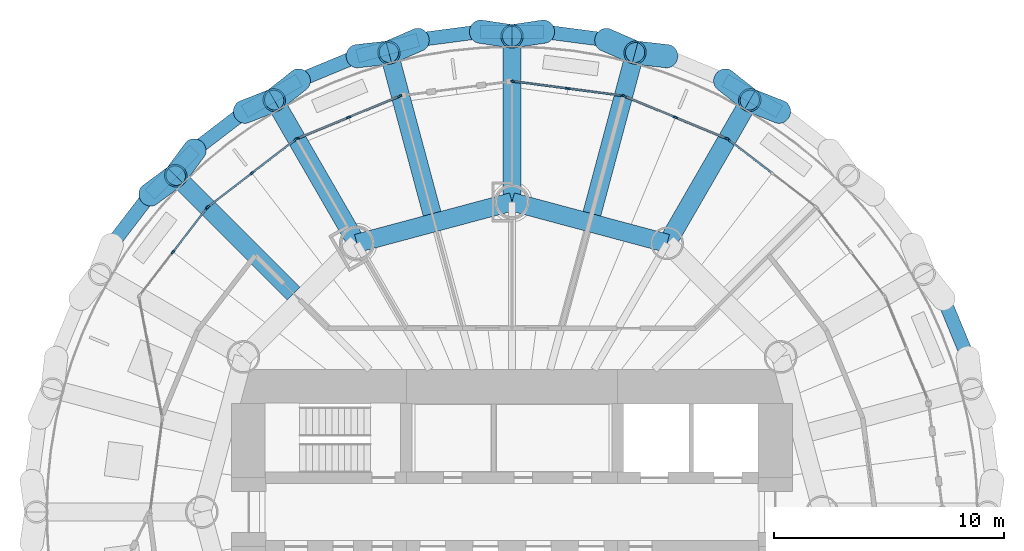
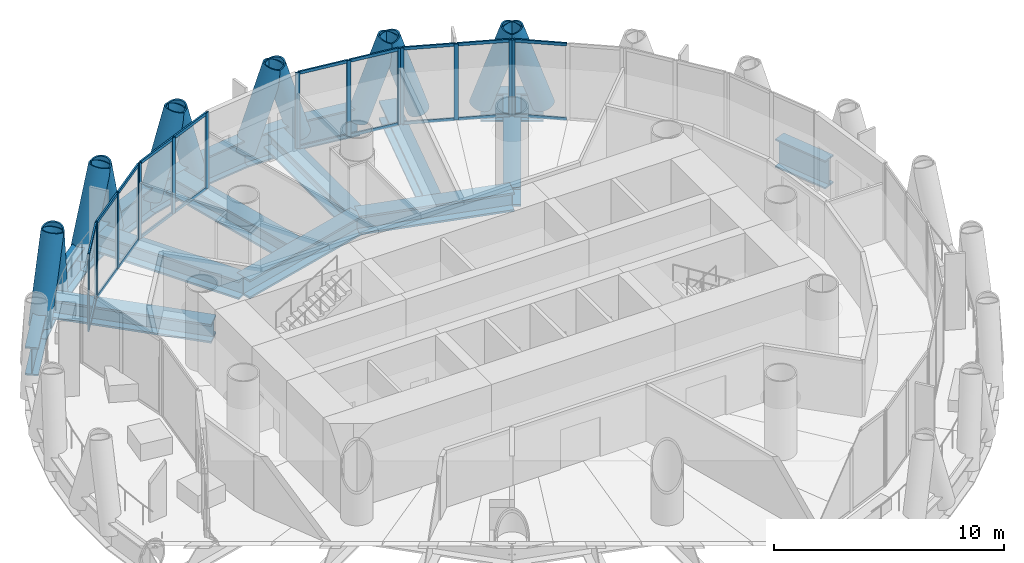
# One storey, part 5 of 15: 47 members, 19 beams, 6 elements without a shape of their own.
"""IFC4 building model written with IfcOpenShell, lengths in metres."""

from ifc_helpers import new_model, si_unit, direction, frame, origin, origin_2d, place, context, subcontext, project, spatial, rectangle, hollow_circle, i_section, extrude, material, material_profile, profile_set, type_object, element, aggregate, save


model = new_model("IFC4")

# Units and contexts
model_context = context("Model", 3, precision=1e-05, world=origin(), true_north=direction((0.0, 1.0)))
body_context = subcontext(model_context, "Body", "Model", "MODEL_VIEW")
ifc_project = project(units=[si_unit("LENGTHUNIT", "METRE"), si_unit("AREAUNIT", "SQUARE_METRE"), si_unit("VOLUMEUNIT", "CUBIC_METRE"), si_unit("PLANEANGLEUNIT", "RADIAN"), si_unit("MASSUNIT", "GRAM", prefix="KILO")], contexts=[model_context])

# Site, building, storey
site_placement = place(None, origin())
site = spatial("IfcSite", under=ifc_project, at=site_placement, CompositionType="ELEMENT")
building_placement = place(site_placement, origin())
building = spatial("IfcBuilding", under=site, at=building_placement, Name="Qaws Media Tower", CompositionType="ELEMENT")
storey_placement = place(building_placement, frame((0.0, 0.0, 273.800048828125)))
storey = spatial("IfcBuildingStorey", under=building, at=storey_placement, Name="L63", CompositionType="ELEMENT", Elevation=273.800048828125)

# Curtain wall, member
ifc_material_1 = material(Name="Aluminium and clear glass", Category="aluminium")
curtain_wall_type = type_object("IfcCurtainWallType", Name="Unitised curtain wall CW-D", PredefinedType="NOTDEFINED", material=ifc_material_1)
curtain_wall_1_placement = place(storey_placement, origin())
curtain_wall_1 = element("IfcCurtainWall", 1, at=curtain_wall_1_placement, inside=storey, type_object=curtain_wall_type, Name="CWD curtain wall L63-04", PredefinedType="NOTDEFINED")
ifc_material_2 = material(Name="Aluminium mullion", Category="aluminium")
ifc_material_profile_1 = material_profile(ifc_material_2, rectangle(XDim=0.080078125, YDim=0.199951171875, at=origin_2d()), Name="80x200")
ifc_profile_set_1 = profile_set([ifc_material_profile_1], Name="Aluminium mullion")
member_type_1 = type_object("IfcMemberType", Name="Curtain wall mullion 80x200", PredefinedType="MULLION", material=ifc_profile_set_1)
member_1_placement = place(storey_placement, frame((69.40673828125, 66.213623046875, 0.0), z_axis=(0.0, 0.0, 1.0), x_axis=(-0.608761421199, -0.793353346284, 0.0)))
member_1 = element("IfcMember", 2, at=member_1_placement, type_object=member_type_1, Name="CWD mullion 3", PredefinedType="MULLION", context=body_context, shape_type="SweptSolid", body=[
    extrude(rectangle(XDim=0.080078125, YDim=0.199951171875, at=origin_2d()), origin(), (0.0, 0.0, 1.0), 4.0400390625),
])

# Curtain wall, members
curtain_wall_2_placement = place(storey_placement, origin())
curtain_wall_2 = element("IfcCurtainWall", 3, at=curtain_wall_2_placement, inside=storey, type_object=curtain_wall_type, Name="CWD curtain wall L63-05", PredefinedType="NOTDEFINED")
member_2_placement = place(storey_placement, frame((69.338134765625, 66.253173828125, 0.0), z_axis=(0.0, 0.0, 1.0), x_axis=(-0.382683439057, -0.923879529739, 0.0)))
member_2 = element("IfcMember", 4, at=member_2_placement, type_object=member_type_1, Name="CWD mullion 1", PredefinedType="MULLION", context=body_context, shape_type="SweptSolid", body=[
    extrude(rectangle(XDim=0.080078125, YDim=0.199951171875, at=origin_2d()), origin(), (0.0, 0.0, 1.0), 4.0400390625),
])
member_3_placement = place(storey_placement, frame((67.114013671875, 67.174560546875, 0.0), z_axis=(0.0, 0.0, 1.0), x_axis=(-0.382683439057, -0.923879529739, 0.0)))
member_3 = element("IfcMember", 5, at=member_3_placement, type_object=member_type_1, Name="CWD mullion 2", PredefinedType="MULLION", context=body_context, shape_type="SweptSolid", body=[
    extrude(rectangle(XDim=0.080078125, YDim=0.199951171875, at=origin_2d()), origin(), (0.0, 0.0, 1.0), 4.0400390625),
])
member_4_placement = place(storey_placement, frame((64.889892578125, 68.095703125, 0.0), z_axis=(0.0, 0.0, 1.0), x_axis=(-0.382683439057, -0.923879529739, 0.0)))
member_4 = element("IfcMember", 6, at=member_4_placement, type_object=member_type_1, Name="CWD mullion 3", PredefinedType="MULLION", context=body_context, shape_type="SweptSolid", body=[
    extrude(rectangle(XDim=0.080078125, YDim=0.199951171875, at=origin_2d()), origin(), (0.0, 0.0, 1.0), 4.0400390625),
])

curtain_wall_3_placement = place(storey_placement, origin())
curtain_wall_3 = element("IfcCurtainWall", 7, at=curtain_wall_3_placement, inside=storey, type_object=curtain_wall_type, Name="CWD curtain wall L63-06", PredefinedType="NOTDEFINED")
member_5_placement = place(storey_placement, frame((64.813232421875, 68.1162109375, 0.0), z_axis=(0.0, 0.0, 1.0), x_axis=(-0.130526243526, -0.991444854619, 0.0)))
member_5 = element("IfcMember", 8, at=member_5_placement, type_object=member_type_1, Name="CWD mullion 1", PredefinedType="MULLION", context=body_context, shape_type="SweptSolid", body=[
    extrude(rectangle(XDim=0.080078125, YDim=0.199951171875, at=origin_2d()), origin(), (0.0, 0.0, 1.0), 4.0400390625),
])
member_6_placement = place(storey_placement, frame((62.426513671875, 68.4306640625, 0.0), z_axis=(0.0, 0.0, 1.0), x_axis=(-0.130526243526, -0.991444854619, 0.0)))
member_6 = element("IfcMember", 9, at=member_6_placement, type_object=member_type_1, Name="CWD mullion 2", PredefinedType="MULLION", context=body_context, shape_type="SweptSolid", body=[
    extrude(rectangle(XDim=0.080078125, YDim=0.199951171875, at=origin_2d()), origin(), (0.0, 0.0, 1.0), 4.0400390625),
])
member_7_placement = place(storey_placement, frame((60.03955078125, 68.744873046875, 0.0), z_axis=(0.0, 0.0, 1.0), x_axis=(-0.130526243526, -0.991444854619, 0.0)))
member_7 = element("IfcMember", 10, at=member_7_placement, type_object=member_type_1, Name="CWD mullion 3", PredefinedType="MULLION", context=body_context, shape_type="SweptSolid", body=[
    extrude(rectangle(XDim=0.080078125, YDim=0.199951171875, at=origin_2d()), origin(), (0.0, 0.0, 1.0), 4.0400390625),
])

curtain_wall_4_placement = place(storey_placement, origin())
curtain_wall_4 = element("IfcCurtainWall", 11, at=curtain_wall_4_placement, inside=storey, type_object=curtain_wall_type, Name="CWD curtain wall L63-08", PredefinedType="NOTDEFINED")
member_8_placement = place(storey_placement, frame((55.110107421875, 68.095703125, 0.0), z_axis=(0.0, 0.0, 1.0), x_axis=(0.382683439057, -0.923879529739, 0.0)))
member_8 = element("IfcMember", 12, at=member_8_placement, type_object=member_type_1, Name="CWD mullion 1", PredefinedType="MULLION", context=body_context, shape_type="SweptSolid", body=[
    extrude(rectangle(XDim=0.080078125, YDim=0.199951171875, at=origin_2d()), origin(), (0.0, 0.0, 1.0), 4.0400390625),
])
member_9_placement = place(storey_placement, frame((52.885986328125, 67.174560546875, 0.0), z_axis=(0.0, 0.0, 1.0), x_axis=(0.382683439057, -0.923879529739, 0.0)))
member_9 = element("IfcMember", 13, at=member_9_placement, type_object=member_type_1, Name="CWD mullion 2", PredefinedType="MULLION", context=body_context, shape_type="SweptSolid", body=[
    extrude(rectangle(XDim=0.080078125, YDim=0.199951171875, at=origin_2d()), origin(), (0.0, 0.0, 1.0), 4.0400390625),
])
member_10_placement = place(storey_placement, frame((50.661865234375, 66.253173828125, 0.0), z_axis=(0.0, 0.0, 1.0), x_axis=(0.382683439057, -0.923879529739, 0.0)))
member_10 = element("IfcMember", 14, at=member_10_placement, type_object=member_type_1, Name="CWD mullion 3", PredefinedType="MULLION", context=body_context, shape_type="SweptSolid", body=[
    extrude(rectangle(XDim=0.080078125, YDim=0.199951171875, at=origin_2d()), origin(), (0.0, 0.0, 1.0), 4.0400390625),
])

curtain_wall_5_placement = place(storey_placement, origin())
curtain_wall_5 = element("IfcCurtainWall", 15, at=curtain_wall_5_placement, inside=storey, type_object=curtain_wall_type, Name="CWD curtain wall L63-09", PredefinedType="NOTDEFINED")
member_11_placement = place(storey_placement, frame((50.59326171875, 66.213623046875, 0.0), z_axis=(0.0, 0.0, 1.0), x_axis=(0.608761421199, -0.793353346284, 0.0)))
member_11 = element("IfcMember", 16, at=member_11_placement, type_object=member_type_1, Name="CWD mullion 1", PredefinedType="MULLION", context=body_context, shape_type="SweptSolid", body=[
    extrude(rectangle(XDim=0.080078125, YDim=0.199951171875, at=origin_2d()), origin(), (0.0, 0.0, 1.0), 4.0400390625),
])
member_12_placement = place(storey_placement, frame((48.683349609375, 64.748046875, 0.0), z_axis=(0.0, 0.0, 1.0), x_axis=(0.608761421199, -0.793353346284, 0.0)))
member_12 = element("IfcMember", 17, at=member_12_placement, type_object=member_type_1, Name="CWD mullion 2", PredefinedType="MULLION", context=body_context, shape_type="SweptSolid", body=[
    extrude(rectangle(XDim=0.080078125, YDim=0.199951171875, at=origin_2d()), origin(), (0.0, 0.0, 1.0), 4.0400390625),
])
member_13_placement = place(storey_placement, frame((46.7734375, 63.28271484375, 0.0), z_axis=(0.0, 0.0, 1.0), x_axis=(0.608761421199, -0.793353346284, 0.0)))
member_13 = element("IfcMember", 18, at=member_13_placement, type_object=member_type_1, Name="CWD mullion 3", PredefinedType="MULLION", context=body_context, shape_type="SweptSolid", body=[
    extrude(rectangle(XDim=0.080078125, YDim=0.199951171875, at=origin_2d()), origin(), (0.0, 0.0, 1.0), 4.0400390625),
])

curtain_wall_6_placement = place(storey_placement, origin())
curtain_wall_6 = element("IfcCurtainWall", 19, at=curtain_wall_6_placement, inside=storey, type_object=curtain_wall_type, Name="CWD curtain wall L63-10", PredefinedType="NOTDEFINED")
member_14_placement = place(storey_placement, frame((46.71728515625, 63.2265625, 0.0), z_axis=(0.0, 0.0, 1.0), x_axis=(0.793353346284, -0.608761421199, 0.0)))
member_14 = element("IfcMember", 20, at=member_14_placement, type_object=member_type_1, Name="CWD mullion 1", PredefinedType="MULLION", context=body_context, shape_type="SweptSolid", body=[
    extrude(rectangle(XDim=0.080078125, YDim=0.199951171875, at=origin_2d()), origin(), (0.0, 0.0, 1.0), 4.0400390625),
])
member_15_placement = place(storey_placement, frame((45.251953125, 61.316650390625, 0.0), z_axis=(0.0, 0.0, 1.0), x_axis=(0.793353346284, -0.608761421199, 0.0)))
member_15 = element("IfcMember", 21, at=member_15_placement, type_object=member_type_1, Name="CWD mullion 2", PredefinedType="MULLION", context=body_context, shape_type="SweptSolid", body=[
    extrude(rectangle(XDim=0.080078125, YDim=0.199951171875, at=origin_2d()), origin(), (0.0, 0.0, 1.0), 4.0400390625),
])

# Member
ifc_material_3 = material(Name="Aluminium transom", Category="aluminium")
ifc_material_profile_2 = material_profile(ifc_material_3, rectangle(XDim=0.080078125, YDim=0.159912109375, at=origin_2d()), Name="80x160")
ifc_profile_set_2 = profile_set([ifc_material_profile_2], Name="Aluminium transom")
member_type_2 = type_object("IfcMemberType", Name="Curtain wall transom 80x160", PredefinedType="USERDEFINED", material=ifc_profile_set_2)
member_16_placement = place(storey_placement, frame((71.284912109375, 64.7724609375, 0.0400390625), z_axis=(-0.79336823561, 0.60874201656, 0.0), x_axis=(-0.60874201656, -0.79336823561, 0.0)))
member_16 = element("IfcMember", 22, at=member_16_placement, type_object=member_type_2, Name="CWD transom 2.1", ObjectType="TRANSOM", PredefinedType="USERDEFINED", context=body_context, shape_type="SweptSolid", body=[
    extrude(rectangle(XDim=0.080078125, YDim=0.159912109375, at=origin_2d()), origin(), (0.0, 0.0, 1.0), 2.327392578125),
])

member_17_placement = place(storey_placement, frame((71.284912109375, 64.7724609375, 4.0), z_axis=(-0.79336823561, 0.60874201656, 0.0), x_axis=(-0.60874201656, -0.79336823561, 0.0)))
member_17 = element("IfcMember", 23, at=member_17_placement, type_object=member_type_2, Name="CWD transom 2.2", ObjectType="TRANSOM", PredefinedType="USERDEFINED", context=body_context, shape_type="SweptSolid", body=[
    extrude(rectangle(XDim=0.080078125, YDim=0.159912109375, at=origin_2d()), origin(), (0.0, 0.0, 1.0), 2.327392578125),
])

aggregate(curtain_wall_1, [member_1, member_16, member_17])

member_18_placement = place(storey_placement, frame((69.301025390625, 66.2685546875, 0.0400390625), z_axis=(-0.923878747853, 0.382685326691, 0.0), x_axis=(-0.382685326691, -0.923878747853, 0.0)))
member_18 = element("IfcMember", 24, at=member_18_placement, type_object=member_type_2, Name="CWD transom 1.1", ObjectType="TRANSOM", PredefinedType="USERDEFINED", context=body_context, shape_type="SweptSolid", body=[
    extrude(rectangle(XDim=0.080078125, YDim=0.159912109375, at=origin_2d()), origin(), (0.0, 0.0, 1.0), 2.327392578125),
])

member_19_placement = place(storey_placement, frame((69.301025390625, 66.2685546875, 4.0), z_axis=(-0.923878747853, 0.382685326691, 0.0), x_axis=(-0.382685326691, -0.923878747853, 0.0)))
member_19 = element("IfcMember", 25, at=member_19_placement, type_object=member_type_2, Name="CWD transom 1.2", ObjectType="TRANSOM", PredefinedType="USERDEFINED", context=body_context, shape_type="SweptSolid", body=[
    extrude(rectangle(XDim=0.080078125, YDim=0.159912109375, at=origin_2d()), origin(), (0.0, 0.0, 1.0), 2.327392578125),
])

member_20_placement = place(storey_placement, frame((67.076904296875, 67.18994140625, 0.0400390625), z_axis=(-0.923878747853, 0.382685326691, 0.0), x_axis=(-0.382685326691, -0.923878747853, 0.0)))
member_20 = element("IfcMember", 26, at=member_20_placement, type_object=member_type_2, Name="CWD transom 2.1", ObjectType="TRANSOM", PredefinedType="USERDEFINED", context=body_context, shape_type="SweptSolid", body=[
    extrude(rectangle(XDim=0.080078125, YDim=0.159912109375, at=origin_2d()), origin(), (0.0, 0.0, 1.0), 2.327392578125),
])

member_21_placement = place(storey_placement, frame((67.076904296875, 67.18994140625, 4.0), z_axis=(-0.923878747853, 0.382685326691, 0.0), x_axis=(-0.382685326691, -0.923878747853, 0.0)))
member_21 = element("IfcMember", 27, at=member_21_placement, type_object=member_type_2, Name="CWD transom 2.2", ObjectType="TRANSOM", PredefinedType="USERDEFINED", context=body_context, shape_type="SweptSolid", body=[
    extrude(rectangle(XDim=0.080078125, YDim=0.159912109375, at=origin_2d()), origin(), (0.0, 0.0, 1.0), 2.327392578125),
])

aggregate(curtain_wall_2, [member_2, member_3, member_4, member_18, member_19, member_20, member_21])

member_22_placement = place(storey_placement, frame((64.7734375, 68.12158203125, 0.0400390625), z_axis=(-0.991448224459, 0.130500644506, 0.0), x_axis=(-0.130500644506, -0.991448224459, 0.0)))
member_22 = element("IfcMember", 28, at=member_22_placement, type_object=member_type_2, Name="CWD transom 1.1", ObjectType="TRANSOM", PredefinedType="USERDEFINED", context=body_context, shape_type="SweptSolid", body=[
    extrude(rectangle(XDim=0.080078125, YDim=0.159912109375, at=origin_2d()), origin(), (0.0, 0.0, 1.0), 2.327392578125),
])

member_23_placement = place(storey_placement, frame((64.7734375, 68.12158203125, 4.0), z_axis=(-0.991448224459, 0.130500644506, 0.0), x_axis=(-0.130500644506, -0.991448224459, 0.0)))
member_23 = element("IfcMember", 29, at=member_23_placement, type_object=member_type_2, Name="CWD transom 1.2", ObjectType="TRANSOM", PredefinedType="USERDEFINED", context=body_context, shape_type="SweptSolid", body=[
    extrude(rectangle(XDim=0.080078125, YDim=0.159912109375, at=origin_2d()), origin(), (0.0, 0.0, 1.0), 2.327392578125),
])

member_24_placement = place(storey_placement, frame((62.38671875, 68.435791015625, 0.0400390625), z_axis=(-0.991448224459, 0.130500644506, 0.0), x_axis=(-0.130500644506, -0.991448224459, 0.0)))
member_24 = element("IfcMember", 30, at=member_24_placement, type_object=member_type_2, Name="CWD transom 2.1", ObjectType="TRANSOM", PredefinedType="USERDEFINED", context=body_context, shape_type="SweptSolid", body=[
    extrude(rectangle(XDim=0.080078125, YDim=0.159912109375, at=origin_2d()), origin(), (0.0, 0.0, 1.0), 2.327392578125),
])

member_25_placement = place(storey_placement, frame((62.38671875, 68.435791015625, 4.0), z_axis=(-0.991448224459, 0.130500644506, 0.0), x_axis=(-0.130500644506, -0.991448224459, 0.0)))
member_25 = element("IfcMember", 31, at=member_25_placement, type_object=member_type_2, Name="CWD transom 2.2", ObjectType="TRANSOM", PredefinedType="USERDEFINED", context=body_context, shape_type="SweptSolid", body=[
    extrude(rectangle(XDim=0.080078125, YDim=0.159912109375, at=origin_2d()), origin(), (0.0, 0.0, 1.0), 2.327392578125),
])

aggregate(curtain_wall_3, [member_5, member_6, member_7, member_22, member_23, member_24, member_25])

member_26_placement = place(storey_placement, frame((55.0732421875, 68.08056640625, 0.0400390625), z_axis=(-0.923878747853, -0.382685326691, 0.0), x_axis=(0.382685326691, -0.923878747853, 0.0)))
member_26 = element("IfcMember", 32, at=member_26_placement, type_object=member_type_2, Name="CWD transom 1.1", ObjectType="TRANSOM", PredefinedType="USERDEFINED", context=body_context, shape_type="SweptSolid", body=[
    extrude(rectangle(XDim=0.080078125, YDim=0.159912109375, at=origin_2d()), origin(), (0.0, 0.0, 1.0), 2.327392578125),
])

member_27_placement = place(storey_placement, frame((55.0732421875, 68.08056640625, 4.0), z_axis=(-0.923878747853, -0.382685326691, 0.0), x_axis=(0.382685326691, -0.923878747853, 0.0)))
member_27 = element("IfcMember", 33, at=member_27_placement, type_object=member_type_2, Name="CWD transom 1.2", ObjectType="TRANSOM", PredefinedType="USERDEFINED", context=body_context, shape_type="SweptSolid", body=[
    extrude(rectangle(XDim=0.080078125, YDim=0.159912109375, at=origin_2d()), origin(), (0.0, 0.0, 1.0), 2.327392578125),
])

member_28_placement = place(storey_placement, frame((52.84912109375, 67.1591796875, 0.0400390625), z_axis=(-0.923878747853, -0.382685326691, 0.0), x_axis=(0.382685326691, -0.923878747853, 0.0)))
member_28 = element("IfcMember", 34, at=member_28_placement, type_object=member_type_2, Name="CWD transom 2.1", ObjectType="TRANSOM", PredefinedType="USERDEFINED", context=body_context, shape_type="SweptSolid", body=[
    extrude(rectangle(XDim=0.080078125, YDim=0.159912109375, at=origin_2d()), origin(), (0.0, 0.0, 1.0), 2.327392578125),
])

member_29_placement = place(storey_placement, frame((52.84912109375, 67.1591796875, 4.0), z_axis=(-0.923878747853, -0.382685326691, 0.0), x_axis=(0.382685326691, -0.923878747853, 0.0)))
member_29 = element("IfcMember", 35, at=member_29_placement, type_object=member_type_2, Name="CWD transom 2.2", ObjectType="TRANSOM", PredefinedType="USERDEFINED", context=body_context, shape_type="SweptSolid", body=[
    extrude(rectangle(XDim=0.080078125, YDim=0.159912109375, at=origin_2d()), origin(), (0.0, 0.0, 1.0), 2.327392578125),
])

aggregate(curtain_wall_4, [member_8, member_9, member_10, member_26, member_27, member_28, member_29])

member_30_placement = place(storey_placement, frame((50.5615234375, 66.189208984375, 0.0400390625), z_axis=(-0.79336823561, -0.60874201656, 0.0), x_axis=(0.60874201656, -0.79336823561, 0.0)))
member_30 = element("IfcMember", 36, at=member_30_placement, type_object=member_type_2, Name="CWD transom 1.1", ObjectType="TRANSOM", PredefinedType="USERDEFINED", context=body_context, shape_type="SweptSolid", body=[
    extrude(rectangle(XDim=0.080078125, YDim=0.159912109375, at=origin_2d()), origin(), (0.0, 0.0, 1.0), 2.327392578125),
])

member_31_placement = place(storey_placement, frame((50.5615234375, 66.189208984375, 4.0), z_axis=(-0.79336823561, -0.60874201656, 0.0), x_axis=(0.60874201656, -0.79336823561, 0.0)))
member_31 = element("IfcMember", 37, at=member_31_placement, type_object=member_type_2, Name="CWD transom 1.2", ObjectType="TRANSOM", PredefinedType="USERDEFINED", context=body_context, shape_type="SweptSolid", body=[
    extrude(rectangle(XDim=0.080078125, YDim=0.159912109375, at=origin_2d()), origin(), (0.0, 0.0, 1.0), 2.327392578125),
])

member_32_placement = place(storey_placement, frame((48.651611328125, 64.723876953125, 0.0400390625), z_axis=(-0.793317573344, -0.608808038567, 0.0), x_axis=(0.608808038567, -0.793317573344, 0.0)))
member_32 = element("IfcMember", 38, at=member_32_placement, type_object=member_type_2, Name="CWD transom 2.1", ObjectType="TRANSOM", PredefinedType="USERDEFINED", context=body_context, shape_type="SweptSolid", body=[
    extrude(rectangle(XDim=0.080078125, YDim=0.159912109375, at=origin_2d()), origin(), (0.0, 0.0, 1.0), 2.327392578125),
])

member_33_placement = place(storey_placement, frame((48.651611328125, 64.723876953125, 4.0), z_axis=(-0.793317573344, -0.608808038567, 0.0), x_axis=(0.608808038567, -0.793317573344, 0.0)))
member_33 = element("IfcMember", 39, at=member_33_placement, type_object=member_type_2, Name="CWD transom 2.2", ObjectType="TRANSOM", PredefinedType="USERDEFINED", context=body_context, shape_type="SweptSolid", body=[
    extrude(rectangle(XDim=0.080078125, YDim=0.159912109375, at=origin_2d()), origin(), (0.0, 0.0, 1.0), 2.327392578125),
])

aggregate(curtain_wall_5, [member_11, member_12, member_13, member_30, member_31, member_32, member_33])

member_34_placement = place(storey_placement, frame((46.693115234375, 63.19482421875, 0.0400390625), z_axis=(-0.608808038567, -0.793317573344, 0.0), x_axis=(0.793317573344, -0.608808038567, 0.0)))
member_34 = element("IfcMember", 40, at=member_34_placement, type_object=member_type_2, Name="CWD transom 1.1", ObjectType="TRANSOM", PredefinedType="USERDEFINED", context=body_context, shape_type="SweptSolid", body=[
    extrude(rectangle(XDim=0.080078125, YDim=0.159912109375, at=origin_2d()), origin(), (0.0, 0.0, 1.0), 2.327392578125),
])

member_35_placement = place(storey_placement, frame((46.693115234375, 63.19482421875, 4.0), z_axis=(-0.608808038567, -0.793317573344, 0.0), x_axis=(0.793317573344, -0.608808038567, 0.0)))
member_35 = element("IfcMember", 41, at=member_35_placement, type_object=member_type_2, Name="CWD transom 1.2", ObjectType="TRANSOM", PredefinedType="USERDEFINED", context=body_context, shape_type="SweptSolid", body=[
    extrude(rectangle(XDim=0.080078125, YDim=0.159912109375, at=origin_2d()), origin(), (0.0, 0.0, 1.0), 2.327392578125),
])

aggregate(curtain_wall_6, [member_14, member_15, member_34, member_35])

# Members
ifc_material_4 = material(Name="Steel S460", Category="steel")
ifc_material_profile_3 = material_profile(ifc_material_4, hollow_circle(Radius=0.508056640625, WallThickness=0.070068359375, at=origin_2d()), Name="CHS 1016x70")
ifc_profile_set_3 = profile_set([ifc_material_profile_3], Name="Steel S460")
member_type_3 = type_object("IfcMemberType", Name="Diagrid member CHS 1016x70", PredefinedType="USERDEFINED", material=ifc_profile_set_3)
for number, where, z_axis, x_axis, name in (
    (42, (71.63916015625, 67.419189453125, -0.91015625), (-0.291460040217, 0.114762390835, 0.949673964372), (-0.366371962483, -0.930468476148, 0.0), "DG3 diagrid L63 A04"),
    (43, (66.734130859375, 69.838134765625, -0.91015625), (-0.311223201998, 0.035383836907, 0.949677894143), (-0.112965046989, -0.993598962438, 0.0), "DG3 diagrid L63 A05"),
    (44, (69.265869140625, 68.78955078125, -0.91015625), (0.24514249136, -0.195076236088, 0.949658054798), (0.622673161344, 0.782482034389, 0.0), "DG3 diagrid L63 B05"),
    (45, (61.3701171875, 70.905029296875, -0.91015625), (-0.309786928834, -0.046368677873, 0.949674683476), (0.14803021814, -0.988982838333, 0.0), "DG3 diagrid L63 A06"),
    (46, (64.087158203125, 70.54736328125, -0.91015625), (0.287261862438, -0.124973262214, 0.949664312334), (0.398932282948, 0.916980388897, 0.0), "DG3 diagrid L63 B06"),
    (47, (55.912841796875, 70.54736328125, -0.91015625), (-0.287261862438, -0.124973262214, 0.949664312334), (0.398932282948, -0.916980388897, 0.0), "DG3 diagrid L63 A07"),
    (48, (58.6298828125, 70.905029296875, -0.91015625), (0.309786928834, -0.046368677873, 0.949674683476), (0.14803021814, 0.988982838333, 0.0), "DG3 diagrid L63 B07"),
    (49, (50.734130859375, 68.78955078125, -0.91015625), (-0.24514249136, -0.195076236088, 0.949658054798), (0.622673161344, -0.782482034389, 0.0), "DG3 diagrid L63 A08"),
    (50, (53.265869140625, 69.838134765625, -0.91015625), (0.311223201998, 0.035383836907, 0.949677894143), (-0.112965046989, 0.993598962438, 0.0), "DG3 diagrid L63 B08"),
    (51, (46.186767578125, 65.7509765625, -0.91015625), (-0.186302063661, -0.251825189458, 0.949671319473), (0.803916042946, -0.594742798102, 0.0), "DG3 diagrid L63 A09"),
    (52, (48.36083984375, 67.419189453125, -0.91015625), (0.291460040217, 0.114762390835, 0.949673964372), (-0.366371962483, 0.930468476148, 0.0), "DG3 diagrid L63 B09"),
    (53, (44.2490234375, 63.813232421875, -0.91015625), (0.251825189458, 0.186302063661, 0.949671319473), (-0.594742798102, 0.803916042946, 0.0), "DG3 diagrid L63 B10"),
):
    element("IfcMember", number, at=place(storey_placement, frame(where, z_axis=z_axis, x_axis=x_axis)), inside=storey, type_object=member_type_3, Name=name, ObjectType="DIAGRID", PredefinedType="USERDEFINED", context=body_context, shape_type="SweptSolid", body=[
        extrude(hollow_circle(Radius=0.508056640625, WallThickness=0.070068359375, at=origin_2d()), origin(), (0.0, 0.0, 1.0), 4.4228515625),
    ])

# Beams
ifc_material_5 = material(Name="Steel S460", Category="steel")
ifc_material_profile_4 = material_profile(ifc_material_5, i_section(OverallWidth=0.60009765625, OverallDepth=1.5, WebThickness=0.030029296875, FlangeThickness=0.080078125, at=origin_2d()), Name="PG 1500x600")
ifc_profile_set_4 = profile_set([ifc_material_profile_4], Name="Steel S460")
beam_type_1 = type_object("IfcBeamType", Name="Edge ring beam PG 1500x600", PredefinedType="BEAM", material=ifc_profile_set_4)
beam_1_placement = place(storey_placement, frame((79.838134765625, 56.734130859375, -0.91015625), z_axis=(-0.382653421457, 0.923891962865, 0.0), x_axis=(-0.923891962865, -0.382653421457, 0.0)))
element("IfcBeam", 54, at=beam_1_placement, inside=storey, type_object=beam_type_1, Name="RB5 edge ring beam L63-03", PredefinedType="BEAM", context=body_context, shape_type="SweptSolid", body=[
    extrude(i_section(OverallWidth=0.60009765625, OverallDepth=1.5, WebThickness=0.030029296875, FlangeThickness=0.080078125, at=origin_2d()), origin(), (0.0, 0.0, 1.0), 2.740234375),
])
for number, where, z_axis, x_axis, name in (
    (55, (71.63916015625, 67.419189453125, -0.91015625), (-0.866003105128, 0.500038620418, 0.0), (-0.500038620418, -0.866003105128, 0.0), "RB5 edge ring beam L63-08"),
    (56, (64.087158203125, 70.54736328125, -0.91015625), (-0.991446713306, 0.130512124629, 0.0), (-0.130512124629, -0.991446713306, 0.0), "RB5 edge ring beam L63-11"),
):
    element("IfcBeam", number, at=place(storey_placement, frame(where, z_axis=z_axis, x_axis=x_axis)), inside=storey, type_object=beam_type_1, Name=name, PredefinedType="BEAM", context=body_context, shape_type="SweptSolid", body=[
        extrude(i_section(OverallWidth=0.60009765625, OverallDepth=1.5, WebThickness=0.030029296875, FlangeThickness=0.080078125, at=origin_2d()), origin(), (0.0, 0.0, 1.0), 2.740478515625),
    ])
beam_2_placement = place(storey_placement, frame((61.3701171875, 70.905029296875, -0.91015625), z_axis=(-1.0, 0.0, 0.0), x_axis=(0.0, -1.0, 0.0)))
element("IfcBeam", 57, at=beam_2_placement, inside=storey, type_object=beam_type_1, Name="RB5 edge ring beam L63-12", PredefinedType="BEAM", context=body_context, shape_type="SweptSolid", body=[
    extrude(i_section(OverallWidth=0.60009765625, OverallDepth=1.5, WebThickness=0.030029296875, FlangeThickness=0.080078125, at=origin_2d()), origin(), (0.0, 0.0, 1.0), 2.740234375),
])
beam_3_placement = place(storey_placement, frame((58.6298828125, 70.905029296875, -0.91015625), z_axis=(-0.991446713306, -0.130512124629, 0.0), x_axis=(0.130512124629, -0.991446713306, 0.0)))
element("IfcBeam", 58, at=beam_3_placement, inside=storey, type_object=beam_type_1, Name="RB5 edge ring beam L63-13", PredefinedType="BEAM", context=body_context, shape_type="SweptSolid", body=[
    extrude(i_section(OverallWidth=0.60009765625, OverallDepth=1.5, WebThickness=0.030029296875, FlangeThickness=0.080078125, at=origin_2d()), origin(), (0.0, 0.0, 1.0), 2.740478515625),
])
for number, where, z_axis, x_axis, name in (
    (59, (55.912841796875, 70.54736328125, -0.91015625), (-0.965928168112, -0.258810305143, 0.0), (0.258810305143, -0.965928168112, 0.0), "RB5 edge ring beam L63-14"),
    (60, (53.265869140625, 69.838134765625, -0.91015625), (-0.923891962865, -0.382653421457, 0.0), (0.382653421457, -0.923891962865, 0.0), "RB5 edge ring beam L63-15"),
):
    element("IfcBeam", number, at=place(storey_placement, frame(where, z_axis=z_axis, x_axis=x_axis)), inside=storey, type_object=beam_type_1, Name=name, PredefinedType="BEAM", context=body_context, shape_type="SweptSolid", body=[
        extrude(i_section(OverallWidth=0.60009765625, OverallDepth=1.5, WebThickness=0.030029296875, FlangeThickness=0.080078125, at=origin_2d()), origin(), (0.0, 0.0, 1.0), 2.740234375),
    ])
beam_4_placement = place(storey_placement, frame((50.734130859375, 68.78955078125, -0.91015625), z_axis=(-0.866003105128, -0.500038620418, 0.0), x_axis=(0.500038620418, -0.866003105128, 0.0)))
element("IfcBeam", 61, at=beam_4_placement, inside=storey, type_object=beam_type_1, Name="RB5 edge ring beam L63-16", PredefinedType="BEAM", context=body_context, shape_type="SweptSolid", body=[
    extrude(i_section(OverallWidth=0.60009765625, OverallDepth=1.5, WebThickness=0.030029296875, FlangeThickness=0.080078125, at=origin_2d()), origin(), (0.0, 0.0, 1.0), 2.740478515625),
])
beam_5_placement = place(storey_placement, frame((48.36083984375, 67.419189453125, -0.91015625), z_axis=(-0.793355355184, -0.608758803141, 0.0), x_axis=(0.608758803141, -0.793355355184, 0.0)))
element("IfcBeam", 62, at=beam_5_placement, inside=storey, type_object=beam_type_1, Name="RB5 edge ring beam L63-17", PredefinedType="BEAM", context=body_context, shape_type="SweptSolid", body=[
    extrude(i_section(OverallWidth=0.60009765625, OverallDepth=1.5, WebThickness=0.030029296875, FlangeThickness=0.080078125, at=origin_2d()), origin(), (0.0, 0.0, 1.0), 2.740234375),
])
beam_6_placement = place(storey_placement, frame((46.186767578125, 65.7509765625, -0.91015625), z_axis=(-0.707106781187, -0.707106781187, 0.0), x_axis=(0.707106781187, -0.707106781187, 0.0)))
element("IfcBeam", 63, at=beam_6_placement, inside=storey, type_object=beam_type_1, Name="RB5 edge ring beam L63-18", PredefinedType="BEAM", context=body_context, shape_type="SweptSolid", body=[
    extrude(i_section(OverallWidth=0.60009765625, OverallDepth=1.5, WebThickness=0.030029296875, FlangeThickness=0.080078125, at=origin_2d()), origin(), (0.0, 0.0, 1.0), 2.740478515625),
])
beam_7_placement = place(storey_placement, frame((44.2490234375, 63.813232421875, -0.91015625), z_axis=(-0.608758803141, -0.793355355184, 0.0), x_axis=(0.793355355184, -0.608758803141, 0.0)))
element("IfcBeam", 64, at=beam_7_placement, inside=storey, type_object=beam_type_1, Name="RB5 edge ring beam L63-19", PredefinedType="BEAM", context=body_context, shape_type="SweptSolid", body=[
    extrude(i_section(OverallWidth=0.60009765625, OverallDepth=1.5, WebThickness=0.030029296875, FlangeThickness=0.080078125, at=origin_2d()), origin(), (0.0, 0.0, 1.0), 2.740234375),
])
ifc_material_6 = material(Name="Steel S460", Category="steel")
ifc_material_profile_5 = material_profile(ifc_material_6, i_section(OverallWidth=0.800048828125, OverallDepth=1.0, WebThickness=0.0400390625, FlangeThickness=0.10009765625, at=origin_2d()), Name="PG 1000x800")
ifc_profile_set_5 = profile_set([ifc_material_profile_5], Name="Steel S460")
beam_type_2 = type_object("IfcBeamType", Name="Inner ring girder PG 1000x800", PredefinedType="BEAM", material=ifc_profile_set_5)
for number, where, z_axis, x_axis, name in (
    (65, (66.75, 61.69140625, -0.66015625), (-0.965928090778, 0.258810593767, 0.0), (-0.258810593767, -0.965928090778, 0.0), "B3 inner ring beam L63 I03-I04"),
    (66, (60.0, 63.5, -0.66015625), (-0.965928090778, -0.258810593767, 0.0), (0.258810593767, -0.965928090778, 0.0), "B3 inner ring beam L63 I04-I05"),
):
    element("IfcBeam", number, at=place(storey_placement, frame(where, z_axis=z_axis, x_axis=x_axis)), inside=storey, type_object=beam_type_2, Name=name, PredefinedType="BEAM", context=body_context, shape_type="SweptSolid", body=[
        extrude(i_section(OverallWidth=0.800048828125, OverallDepth=1.0, WebThickness=0.0400390625, FlangeThickness=0.10009765625, at=origin_2d()), origin(), (0.0, 0.0, 1.0), 6.988037109375),
    ])
ifc_material_7 = material(Name="Steel S460", Category="steel")
ifc_material_profile_6 = material_profile(ifc_material_7, i_section(OverallWidth=0.800048828125, OverallDepth=1.0, WebThickness=0.0400390625, FlangeThickness=0.10009765625, at=origin_2d()), Name="PG 1000x800")
ifc_profile_set_6 = profile_set([ifc_material_profile_6], Name="Steel S460")
beam_type_3 = type_object("IfcBeamType", Name="Radial girder PG 1000x800", PredefinedType="BEAM", material=ifc_profile_set_6)
beam_8_placement = place(storey_placement, frame((66.75, 61.69140625, -0.66015625), z_axis=(0.500004033612, 0.866023074965, 0.0), x_axis=(-0.866023074965, 0.500004033612, 0.0)))
element("IfcBeam", 67, at=beam_8_placement, inside=storey, type_object=beam_type_3, Name="B1 radial beam L63 05", PredefinedType="BEAM", context=body_context, shape_type="SweptSolid", body=[
    extrude(i_section(OverallWidth=0.800048828125, OverallDepth=1.0, WebThickness=0.0400390625, FlangeThickness=0.10009765625, at=origin_2d()), origin(), (0.0, 0.0, 1.0), 7.4052734375),
])
beam_9_placement = place(storey_placement, frame((63.478515625, 62.98193359375, -0.66015625), z_axis=(0.25881454913, 0.96592703097, 0.0), x_axis=(-0.96592703097, 0.25881454913, 0.0)))
element("IfcBeam", 68, at=beam_9_placement, inside=storey, type_object=beam_type_3, Name="B1 radial beam L63 06", PredefinedType="BEAM", context=body_context, shape_type="SweptSolid", body=[
    extrude(i_section(OverallWidth=0.800048828125, OverallDepth=1.0, WebThickness=0.0400390625, FlangeThickness=0.10009765625, at=origin_2d()), origin(), (0.0, 0.0, 1.0), 7.46533203125),
])
beam_10_placement = place(storey_placement, frame((60.0, 63.5, -0.66015625), z_axis=(0.0, 1.0, 0.0), x_axis=(-1.0, 0.0, 0.0)))
element("IfcBeam", 69, at=beam_10_placement, inside=storey, type_object=beam_type_3, Name="B1 radial beam L63 07", PredefinedType="BEAM", context=body_context, shape_type="SweptSolid", body=[
    extrude(i_section(OverallWidth=0.800048828125, OverallDepth=1.0, WebThickness=0.0400390625, FlangeThickness=0.10009765625, at=origin_2d()), origin(), (0.0, 0.0, 1.0), 7.405029296875),
])
beam_11_placement = place(storey_placement, frame((56.521484375, 62.98193359375, -0.66015625), z_axis=(-0.25881454913, 0.96592703097, 0.0), x_axis=(-0.96592703097, -0.25881454913, 0.0)))
element("IfcBeam", 70, at=beam_11_placement, inside=storey, type_object=beam_type_3, Name="B1 radial beam L63 08", PredefinedType="BEAM", context=body_context, shape_type="SweptSolid", body=[
    extrude(i_section(OverallWidth=0.800048828125, OverallDepth=1.0, WebThickness=0.0400390625, FlangeThickness=0.10009765625, at=origin_2d()), origin(), (0.0, 0.0, 1.0), 7.46533203125),
])
beam_12_placement = place(storey_placement, frame((53.25, 61.69140625, -0.66015625), z_axis=(-0.500004033612, 0.866023074965, 0.0), x_axis=(-0.866023074965, -0.500004033612, 0.0)))
element("IfcBeam", 71, at=beam_12_placement, inside=storey, type_object=beam_type_3, Name="B1 radial beam L63 09", PredefinedType="BEAM", context=body_context, shape_type="SweptSolid", body=[
    extrude(i_section(OverallWidth=0.800048828125, OverallDepth=1.0, WebThickness=0.0400390625, FlangeThickness=0.10009765625, at=origin_2d()), origin(), (0.0, 0.0, 1.0), 7.4052734375),
])
beam_13_placement = place(storey_placement, frame((50.49658203125, 59.50341796875, -0.66015625), z_axis=(-0.707106781187, 0.707106781187, 0.0), x_axis=(-0.707106781187, -0.707106781187, 0.0)))
element("IfcBeam", 72, at=beam_13_placement, inside=storey, type_object=beam_type_3, Name="B1 radial beam L63 10", PredefinedType="BEAM", context=body_context, shape_type="SweptSolid", body=[
    extrude(i_section(OverallWidth=0.800048828125, OverallDepth=1.0, WebThickness=0.0400390625, FlangeThickness=0.10009765625, at=origin_2d()), origin(), (0.0, 0.0, 1.0), 7.46533203125),
])

save(model, "model.ifc")
